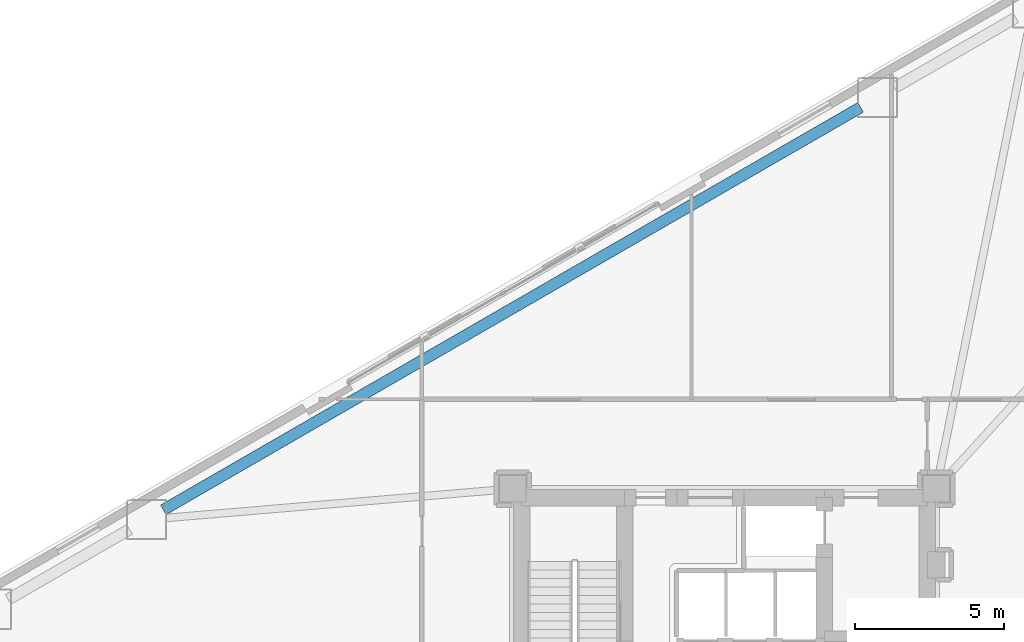
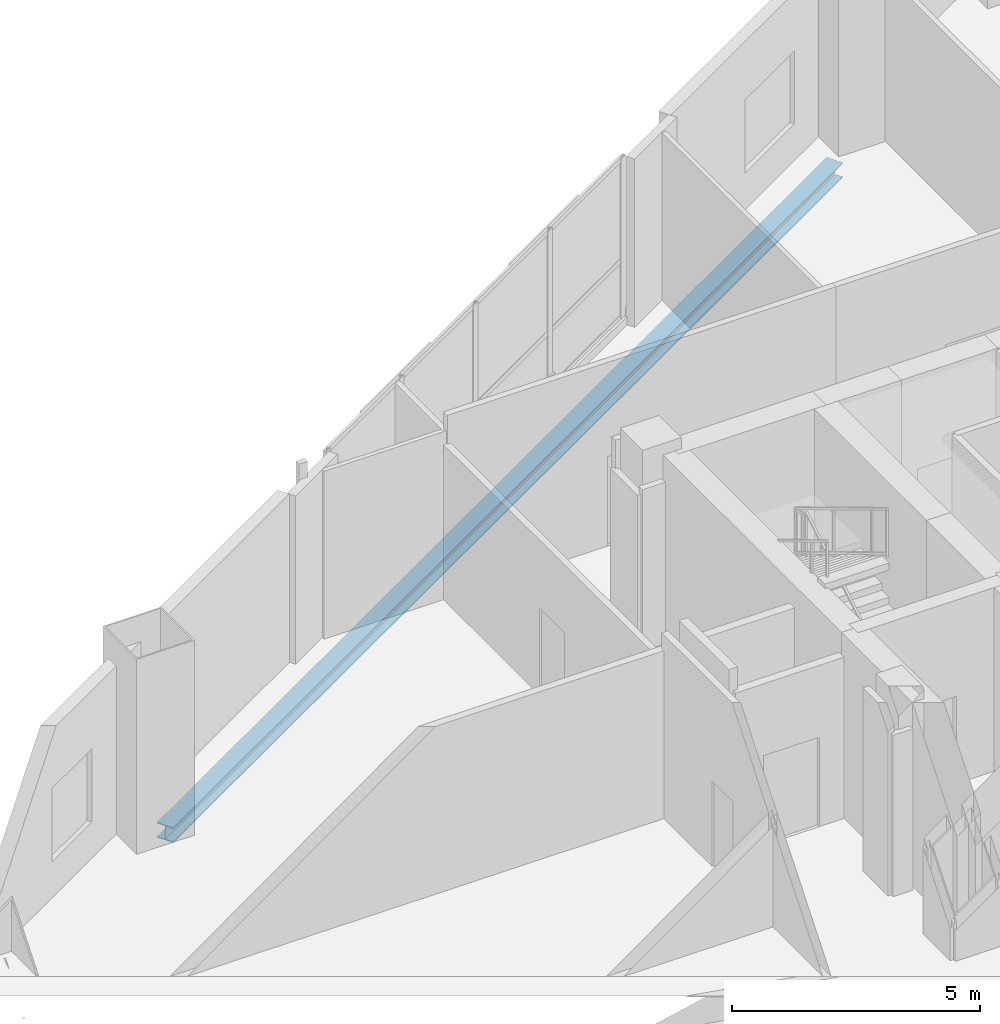
# One storey, part 12 of 27: 1 beam.
"""IFC4 building model written with IfcOpenShell, lengths in metres."""

from ifc_helpers import new_model, si_unit, direction, frame, origin, origin_2d, place, context, subcontext, project, spatial, i_section, extrude, material, material_profile, profile_set, type_object, element, save


model = new_model("IFC4")

# Units and contexts
model_context = context("Model", 3, precision=1e-05, world=origin(), true_north=direction((0.0, 1.0)))
body_context = subcontext(model_context, "Body", "Model", "MODEL_VIEW")
ifc_project = project(units=[si_unit("LENGTHUNIT", "METRE"), si_unit("AREAUNIT", "SQUARE_METRE"), si_unit("VOLUMEUNIT", "CUBIC_METRE"), si_unit("PLANEANGLEUNIT", "RADIAN"), si_unit("MASSUNIT", "GRAM", prefix="KILO")], contexts=[model_context])

# Site, building, storey
site_placement = place(None, origin())
site = spatial("IfcSite", under=ifc_project, at=site_placement, CompositionType="ELEMENT")
building_placement = place(site_placement, origin())
building = spatial("IfcBuilding", under=site, at=building_placement, Name="Mersakhor Tower and Convention Hall", CompositionType="ELEMENT")
storey_placement = place(building_placement, frame((0.0, 0.0, 14.39990234375)))
storey = spatial("IfcBuildingStorey", under=building, at=storey_placement, Name="L03", CompositionType="ELEMENT", Elevation=14.39990234375)

# Beam
ifc_material = material(Name="Steel S355", Category="steel")
ifc_material_profile = material_profile(ifc_material, i_section(OverallWidth=0.374755859375, OverallDepth=0.37451171875, WebThickness=0.0166015625, FlangeThickness=0.027099609375, at=origin_2d()), Name="UC 356x368x202")
ifc_profile_set = profile_set([ifc_material_profile], Name="Steel S355")
beam_type = type_object("IfcBeamType", Name="BM-SPD-UC356", PredefinedType="SPANDREL", material=ifc_profile_set)
beam_placement = place(storey_placement, frame((10.183837890625, 32.341064453125, -0.50732421875), z_axis=(0.866025970279, 0.499999018801, 0.0), x_axis=(-0.499999018801, 0.866025970279, 0.0)))
element("IfcBeam", 1, at=beam_placement, inside=storey, type_object=beam_type, Name="L03 Perimeter Spandrel Beam SPB-02", PredefinedType="SPANDREL", context=body_context, shape_type="SweptSolid", body=[
    extrude(i_section(OverallWidth=0.374755859375, OverallDepth=0.37451171875, WebThickness=0.0166015625, FlangeThickness=0.027099609375, at=origin_2d()), origin(), (0.0, 0.0, 1.0), 26.99951171875),
])

save(model, "model.ifc")
